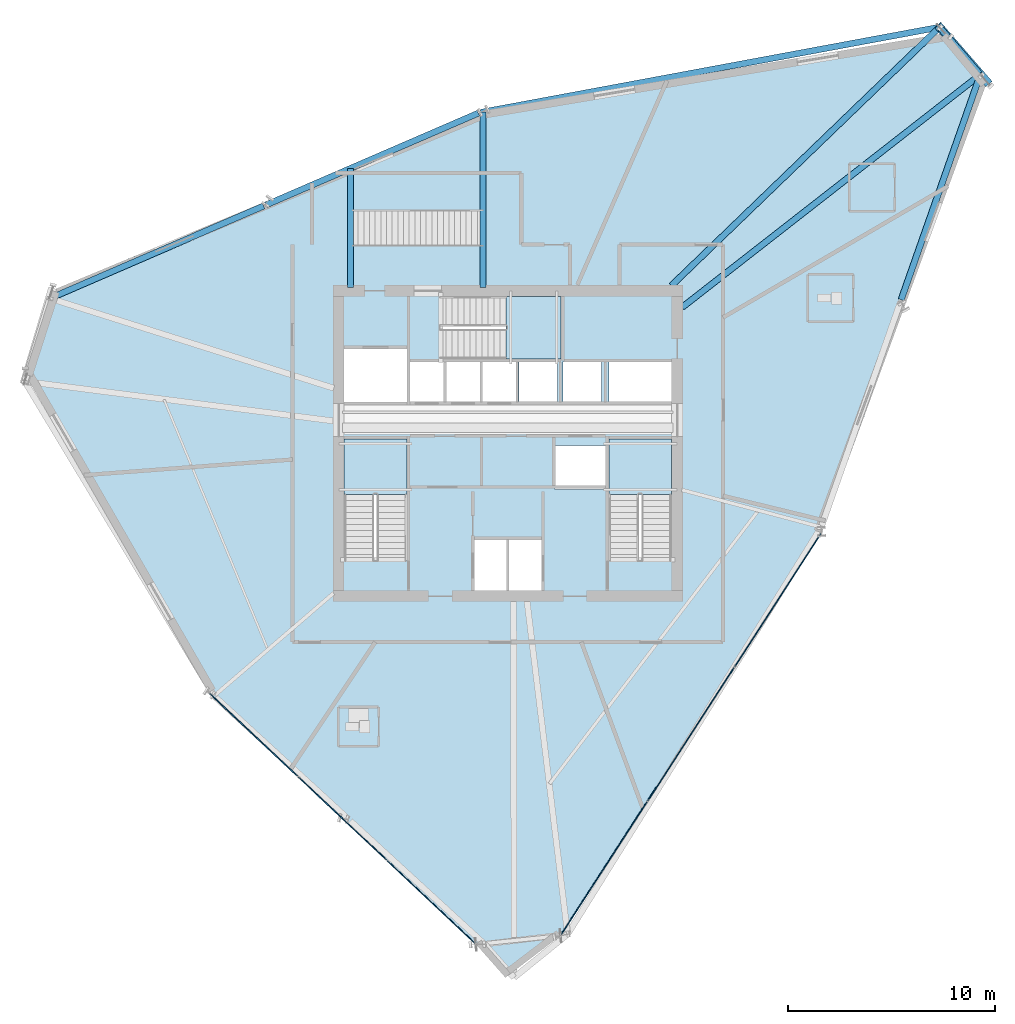
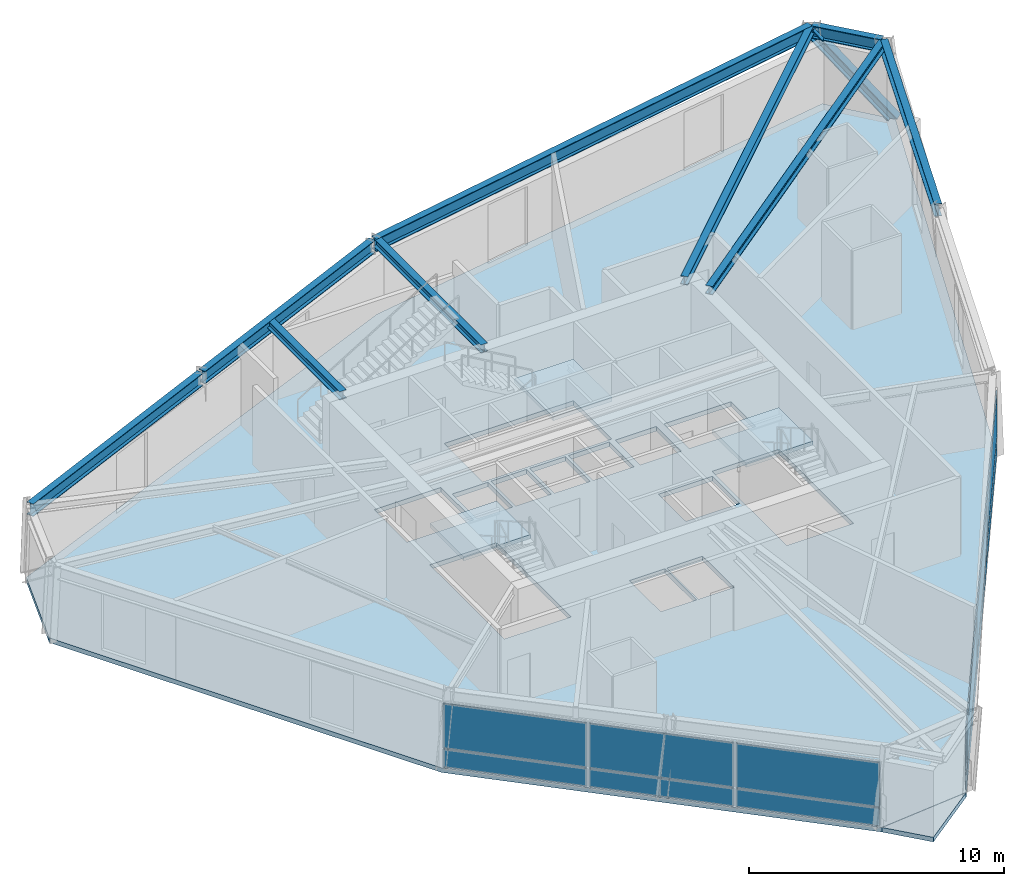
# One storey, part 6 of 14: 12 plates, 9 beams, 5 slabs, 1 member, 5 elements without a shape of their own.
"""IFC4 building model written with IfcOpenShell, lengths in metres."""

from ifc_helpers import new_model, si_unit, direction, frame, origin, origin_2d, place, context, subcontext, project, spatial, polyline, rectangle, i_section, outline, extrude, source, transform, mapped, material, layer, layer_set, material_profile, profile_set, type_object, element, aggregate, save


model = new_model("IFC4")

# Units and contexts
model_context = context("Model", 3, precision=1e-05, world=origin(), true_north=direction((0.0, 1.0)))
body_context = subcontext(model_context, "Body", "Model", "MODEL_VIEW")
ifc_project = project(units=[si_unit("LENGTHUNIT", "METRE"), si_unit("AREAUNIT", "SQUARE_METRE"), si_unit("VOLUMEUNIT", "CUBIC_METRE"), si_unit("PLANEANGLEUNIT", "RADIAN"), si_unit("MASSUNIT", "GRAM", prefix="KILO")], contexts=[model_context])

# Site, building, storey
site_placement = place(None, origin())
site = spatial("IfcSite", under=ifc_project, at=site_placement, CompositionType="ELEMENT")
building_placement = place(site_placement, origin())
building = spatial("IfcBuilding", under=site, at=building_placement, Name="Olszyna Solenne Hotel", CompositionType="ELEMENT")
storey_placement = place(building_placement, frame((0.0, 0.0, 196.300048828125)))
storey = spatial("IfcBuildingStorey", under=building, at=storey_placement, Name="L52", CompositionType="ELEMENT", Elevation=196.300048828125)

# Beams
ifc_material_1 = material(Name="Steel S355J2", Category="steel")
ifc_material_profile_1 = material_profile(ifc_material_1, i_section(OverallWidth=0.300048828125, OverallDepth=0.60009765625, WebThickness=0.015380859375, FlangeThickness=0.030029296875, at=origin_2d()), Name="HEB 600", Category="load-bearing")
ifc_profile_set_1 = profile_set([ifc_material_profile_1], Name="Steel S355J2")
beam_type_1 = type_object("IfcBeamType", Name="BM-S2", PredefinedType="BEAM", material=ifc_profile_set_1)
shared_shape_1 = source(origin(), body_context, "Body", "SweptSolid", [
    extrude(i_section(OverallWidth=0.300048828125, OverallDepth=0.60009765625, WebThickness=0.015380859375, FlangeThickness=0.030029296875, at=origin_2d()), origin(), (0.0, 0.0, 1.0), 2.902587890625),
])
beam_1_placement = place(storey_placement, frame((60.780517578125, 44.44873046875, 3.47998046875), z_axis=(-0.651449183491, 0.758692270508, 0.0), x_axis=(-0.758692270508, -0.651449183491, 0.0)))
element("IfcBeam", 1, at=beam_1_placement, inside=storey, type_object=beam_type_1, Name="Perimeter spandrel beam BM-S2 B-L52-1538", PredefinedType="BEAM", context=body_context, shape_type="MappedRepresentation", body=[
    mapped(shared_shape_1, transform((0.0, 0.0, 0.0), x_axis=(1.0, 0.0, 0.0), y_axis=(0.0, 1.0, 0.0), z_axis=(0.0, 0.0, 1.0), scale=1.0)),
])
shared_shape_2 = source(origin(), body_context, "Body", "SweptSolid", [
    extrude(i_section(OverallWidth=0.300048828125, OverallDepth=0.60009765625, WebThickness=0.015380859375, FlangeThickness=0.030029296875, at=origin_2d()), origin(), (0.0, 0.0, 1.0), 22.477783203125),
])
beam_2_placement = place(storey_placement, frame((58.79150390625, 46.685546875, 3.47998046875), z_axis=(-0.98318065704, -0.182635690987, 0.0), x_axis=(0.182635690987, -0.98318065704, 0.0)))
element("IfcBeam", 2, at=beam_2_placement, inside=storey, type_object=beam_type_1, Name="Perimeter spandrel beam BM-S2 B-L52-1539", PredefinedType="BEAM", context=body_context, shape_type="MappedRepresentation", body=[
    mapped(shared_shape_2, transform((0.0, 0.0, 0.0), x_axis=(1.0, 0.0, 0.0), y_axis=(0.0, 1.0, 0.0), z_axis=(0.0, 0.0, 1.0), scale=1.0)),
])
shared_shape_3 = source(origin(), body_context, "Body", "SweptSolid", [
    extrude(i_section(OverallWidth=0.300048828125, OverallDepth=0.60009765625, WebThickness=0.015380859375, FlangeThickness=0.030029296875, at=origin_2d()), origin(), (0.0, 0.0, 1.0), 11.178955078125),
])
for number, where, z_axis, x_axis, name in (
    (3, (36.57763671875, 42.54541015625, 3.47998046875), (-0.917867142274, -0.396887779018, 0.0), (0.396887779018, -0.917867142274, 0.0), "Perimeter spandrel beam BM-S2 B-L52-1540"),
    (4, (26.206787109375, 38.06103515625, 3.47998046875), (-0.917867142274, -0.396887779018, 0.0), (0.396887779018, -0.917867142274, 0.0), "Perimeter spandrel beam BM-S2 B-L52-1541"),
):
    element("IfcBeam", number, at=place(storey_placement, frame(where, z_axis=z_axis, x_axis=x_axis)), inside=storey, type_object=beam_type_1, Name=name, PredefinedType="BEAM", context=body_context, shape_type="MappedRepresentation", body=[
        mapped(shared_shape_3, transform((0.0, 0.0, 0.0), x_axis=(1.0, 0.0, 0.0), y_axis=(0.0, 1.0, 0.0), z_axis=(0.0, 0.0, 1.0), scale=1.0)),
    ])
shared_shape_4 = source(origin(), body_context, "Body", "SweptSolid", [
    extrude(i_section(OverallWidth=0.300048828125, OverallDepth=0.60009765625, WebThickness=0.015380859375, FlangeThickness=0.030029296875, at=origin_2d()), origin(), (0.0, 0.0, 1.0), 11.461669921875),
])
beam_3_placement = place(storey_placement, frame((56.996826171875, 33.534423828125, 3.47998046875), z_axis=(0.331802663101, 0.943348818179, 0.0), x_axis=(-0.943348818179, 0.331802663101, 0.0)))
element("IfcBeam", 5, at=beam_3_placement, inside=storey, type_object=beam_type_1, Name="Perimeter spandrel beam BM-S2 B-L52-1549", PredefinedType="BEAM", context=body_context, shape_type="MappedRepresentation", body=[
    mapped(shared_shape_4, transform((0.0, 0.0, 0.0), x_axis=(1.0, 0.0, 0.0), y_axis=(0.0, 1.0, 0.0), z_axis=(0.0, 0.0, 1.0), scale=1.0)),
])
ifc_material_profile_2 = material_profile(ifc_material_1, i_section(OverallWidth=0.300048828125, OverallDepth=0.389892578125, WebThickness=0.010986328125, FlangeThickness=0.01904296875, at=origin_2d()), Name="HEA 400", Category="load-bearing")
ifc_profile_set_2 = profile_set([ifc_material_profile_2], Name="Steel S355J2")
beam_type_2 = type_object("IfcBeamType", Name="BM-G2", PredefinedType="BEAM", material=ifc_profile_set_2)
shared_shape_5 = source(origin(), body_context, "Body", "SweptSolid", [
    extrude(i_section(OverallWidth=0.300048828125, OverallDepth=0.389892578125, WebThickness=0.010986328125, FlangeThickness=0.01904296875, at=origin_2d()), origin(), (0.0, 0.0, 1.0), 18.21533203125),
])
beam_4_placement = place(storey_placement, frame((60.772216796875, 44.3662109375, 3.5849609375), z_axis=(-0.788434052637, -0.615119293017, 0.0), x_axis=(0.615119293017, -0.788434052637, 0.0)))
element("IfcBeam", 6, at=beam_4_placement, inside=storey, type_object=beam_type_2, Name="Radial floor girder BM-G2 B-L52-1550", PredefinedType="BEAM", context=body_context, shape_type="MappedRepresentation", body=[
    mapped(shared_shape_5, transform((0.0, 0.0, 0.0), x_axis=(1.0, 0.0, 0.0), y_axis=(0.0, 1.0, 0.0), z_axis=(0.0, 0.0, 1.0), scale=1.0)),
])
shared_shape_6 = source(origin(), body_context, "Body", "SweptSolid", [
    extrude(i_section(OverallWidth=0.300048828125, OverallDepth=0.389892578125, WebThickness=0.010986328125, FlangeThickness=0.01904296875, at=origin_2d()), origin(), (0.0, 0.0, 1.0), 17.92529296875),
])
beam_5_placement = place(storey_placement, frame((58.807373046875, 46.65478515625, 3.5849609375), z_axis=(-0.720014166598, -0.693959364731, 0.0), x_axis=(0.693959364731, -0.720014166598, 0.0)))
element("IfcBeam", 7, at=beam_5_placement, inside=storey, type_object=beam_type_2, Name="Radial floor girder BM-G2 B-L52-1551", PredefinedType="BEAM", context=body_context, shape_type="MappedRepresentation", body=[
    mapped(shared_shape_6, transform((0.0, 0.0, 0.0), x_axis=(1.0, 0.0, 0.0), y_axis=(0.0, 1.0, 0.0), z_axis=(0.0, 0.0, 1.0), scale=1.0)),
])
shared_shape_7 = source(origin(), body_context, "Body", "SweptSolid", [
    extrude(i_section(OverallWidth=0.300048828125, OverallDepth=0.389892578125, WebThickness=0.010986328125, FlangeThickness=0.01904296875, at=origin_2d()), origin(), (0.0, 0.0, 1.0), 5.744384765625),
])
beam_6_placement = place(storey_placement, frame((30.39990234375, 34.1298828125, 3.5849609375), z_axis=(0.0, 1.0, 0.0), x_axis=(-1.0, 0.0, 0.0)))
element("IfcBeam", 8, at=beam_6_placement, inside=storey, type_object=beam_type_2, Name="Feature stair West trimmer girder BM-G2 B-L52-1560", PredefinedType="BEAM", context=body_context, shape_type="MappedRepresentation", body=[
    mapped(shared_shape_7, transform((0.0, 0.0, 0.0), x_axis=(1.0, 0.0, 0.0), y_axis=(0.0, 1.0, 0.0), z_axis=(0.0, 0.0, 1.0), scale=1.0)),
])
shared_shape_8 = source(origin(), body_context, "Body", "SweptSolid", [
    extrude(i_section(OverallWidth=0.300048828125, OverallDepth=0.389892578125, WebThickness=0.010986328125, FlangeThickness=0.01904296875, at=origin_2d()), origin(), (0.0, 0.0, 1.0), 8.470458984375),
])
beam_7_placement = place(storey_placement, frame((36.800048828125, 34.1298828125, 3.5849609375), z_axis=(0.0, 1.0, 0.0), x_axis=(-1.0, 0.0, 0.0)))
element("IfcBeam", 9, at=beam_7_placement, inside=storey, type_object=beam_type_2, Name="Feature stair East arrival girder BM-G2 B-L52-1561", PredefinedType="BEAM", context=body_context, shape_type="MappedRepresentation", body=[
    mapped(shared_shape_8, transform((0.0, 0.0, 0.0), x_axis=(1.0, 0.0, 0.0), y_axis=(0.0, 1.0, 0.0), z_axis=(0.0, 0.0, 1.0), scale=1.0)),
])

# Member
ifc_material_2 = material(Name="Steel S460M", Category="steel")
ifc_material_profile_3 = material_profile(ifc_material_2, i_section(OverallWidth=0.406005859375, OverallDepth=0.416015625, WebThickness=0.026611328125, FlangeThickness=0.04150390625, at=origin_2d()), Name="HD 400x382", Category="load-bearing")
ifc_profile_set_3 = profile_set([ifc_material_profile_3], Name="Steel S460M")
member_type = type_object("IfcMemberType", Name="BR-T2", PredefinedType="BRACE", material=ifc_profile_set_3)
shared_shape_9 = source(origin(), body_context, "Body", "SweptSolid", [
    extrude(i_section(OverallWidth=0.406005859375, OverallDepth=0.416015625, WebThickness=0.026611328125, FlangeThickness=0.04150390625, at=origin_2d()), origin(), (0.0, 0.0, 1.0), 4.904541015625),
])
member_placement = place(storey_placement, frame((61.142333984375, 44.056396484375, 0.010009765625), z_axis=(-0.467259910423, 0.538292177619, 0.701362750384), x_axis=(-0.755175027568, -0.655523209153, 0.0)))
element("IfcMember", 10, at=member_placement, inside=storey, type_object=member_type, Name="Perimeter braced-tube diagonal BR-T2 BR-L52-1", PredefinedType="BRACE", context=body_context, shape_type="MappedRepresentation", body=[
    mapped(shared_shape_9, transform((0.0, 0.0, 0.0), x_axis=(1.0, 0.0, 0.0), y_axis=(0.0, 1.0, 0.0), z_axis=(0.0, 0.0, 1.0), scale=1.0)),
])

# Stair, slab
ifc_material_3 = material(Name="Concrete C40/50", Category="concrete")
stair_type = type_object("IfcStairType", Name="STR-C1", PredefinedType="TWO_QUARTER_WINDING_STAIR", material=ifc_material_3)
stair_1_placement = place(storey_placement, origin())
stair_1 = element("IfcStair", 11, at=stair_1_placement, inside=storey, type_object=stair_type, Name="L52 ST1", PredefinedType="TWO_QUARTER_WINDING_STAIR")
ifc_layer_1 = layer(ifc_material_3, 0.18994140625, Name="Concrete C40/50")
ifc_layer_set_1 = layer_set([ifc_layer_1], Name="Concrete C40/50")
slab_type_1 = type_object("IfcSlabType", Name="SL-LN190", PredefinedType="LANDING", material=ifc_layer_set_1)
slab_1_placement = place(storey_placement, frame((0.0, 0.0, 1.800048828125)))
slab_1 = element("IfcSlab", 12, at=slab_1_placement, type_object=slab_type_1, Name="ST1 landing 1", PredefinedType="LANDING", context=body_context, shape_type="SweptSolid", body=[
    extrude(outline(polyline([(33.1201171875, 24.139892578125), (33.1201171875, 26.800048828125), (30.10009765625, 26.800048828125), (30.10009765625, 24.139892578125), (33.1201171875, 24.139892578125)])), origin(), (0.0, 0.0, 1.0), 0.199951171875),
])
aggregate(stair_1, [slab_1])

stair_2_placement = place(storey_placement, origin())
stair_2 = element("IfcStair", 13, at=stair_2_placement, inside=storey, type_object=stair_type, Name="L52 ST2", PredefinedType="TWO_QUARTER_WINDING_STAIR")
slab_2_placement = place(storey_placement, frame((0.0, 0.0, 1.800048828125)))
slab_2 = element("IfcSlab", 14, at=slab_2_placement, type_object=slab_type_1, Name="ST2 landing 1", PredefinedType="LANDING", context=body_context, shape_type="SweptSolid", body=[
    extrude(outline(polyline([(45.89990234375, 24.139892578125), (45.89990234375, 26.800048828125), (42.8798828125, 26.800048828125), (42.8798828125, 24.139892578125), (45.89990234375, 24.139892578125)])), origin(), (0.0, 0.0, 1.0), 0.199951171875),
])
aggregate(stair_2, [slab_2])

stair_3_placement = place(storey_placement, origin())
stair_3 = element("IfcStair", 15, at=stair_3_placement, inside=storey, type_object=stair_type, Name="L52 ST3", PredefinedType="TWO_QUARTER_WINDING_STAIR")
slab_3_placement = place(storey_placement, frame((0.0, 0.0, 1.800048828125)))
slab_3 = element("IfcSlab", 16, at=slab_3_placement, type_object=slab_type_1, Name="ST3 landing 1", PredefinedType="LANDING", context=body_context, shape_type="SweptSolid", body=[
    extrude(outline(polyline([(37.919921875, 30.679931640625), (40.580078125, 30.679931640625), (40.580078125, 33.699951171875), (37.919921875, 33.699951171875), (37.919921875, 30.679931640625)])), origin(), (0.0, 0.0, 1.0), 0.199951171875),
])
aggregate(stair_3, [slab_3])

# Slabs
ifc_material_4 = material(Name="Concrete C50/60", Category="concrete")
ifc_layer_2 = layer(ifc_material_4, 0.219970703125, Name="Concrete C50/60")
ifc_layer_set_2 = layer_set([ifc_layer_2], Name="Concrete C50/60")
slab_type_2 = type_object("IfcSlabType", Name="SL-TW225", PredefinedType="FLOOR", material=ifc_layer_set_2)
slab_4_placement = place(storey_placement, frame((0.0, 0.0, -0.219970703125)))
element("IfcSlab", 17, at=slab_4_placement, inside=storey, type_object=slab_type_2, Name="Floor slab SL-TW225 SL-L52-01", PredefinedType="FLOOR", context=body_context, shape_type="SweptSolid", body=[
    extrude(outline(polyline([(61.142333984375, 44.056396484375), (59.18505859375, 46.409912109375), (36.86865234375, 42.674072265625), (15.97998046875, 33.977294921875), (14.683349609375, 29.93798828125), (23.553466796875, 14.56689453125), (36.47216796875, 2.3994140625), (40.537109375, 2.8193359375), (53.148681640625, 22.2841796875), (61.142333984375, 44.056396484375)]), holes=[polyline([(30.10009765625, 20.949951171875), (33.1201171875, 20.949951171875), (33.1201171875, 26.800048828125), (30.10009765625, 26.800048828125), (30.10009765625, 20.949951171875)]), polyline([(42.8798828125, 20.949951171875), (45.89990234375, 20.949951171875), (45.89990234375, 26.800048828125), (42.8798828125, 26.800048828125), (42.8798828125, 20.949951171875)]), polyline([(34.72998046875, 30.679931640625), (40.580078125, 30.679931640625), (40.580078125, 33.699951171875), (34.72998046875, 33.699951171875), (34.72998046875, 30.679931640625)]), polyline([(36.340087890625, 19.5), (37.9599609375, 19.5), (37.9599609375, 21.9599609375), (36.340087890625, 21.9599609375), (36.340087890625, 19.5)]), polyline([(38.0400390625, 19.5), (39.659912109375, 19.5), (39.659912109375, 21.9599609375), (38.0400390625, 21.9599609375), (38.0400390625, 19.5)]), polyline([(30.10009765625, 28.60009765625), (33.1201171875, 28.60009765625), (33.1201171875, 31.159912109375), (30.10009765625, 31.159912109375), (30.10009765625, 28.60009765625)]), polyline([(40.280029296875, 24.360107421875), (42.719970703125, 24.360107421875), (42.719970703125, 26.5), (40.280029296875, 26.5), (40.280029296875, 24.360107421875)]), polyline([(33.280029296875, 28.60009765625), (34.89990234375, 28.60009765625), (34.89990234375, 30.550048828125), (33.280029296875, 30.550048828125), (33.280029296875, 28.60009765625)]), polyline([(35.030029296875, 28.60009765625), (36.64990234375, 28.60009765625), (36.64990234375, 30.550048828125), (35.030029296875, 30.550048828125), (35.030029296875, 28.60009765625)]), polyline([(36.780029296875, 28.60009765625), (38.39990234375, 28.60009765625), (38.39990234375, 30.550048828125), (36.780029296875, 30.550048828125), (36.780029296875, 28.60009765625)]), polyline([(38.530029296875, 28.60009765625), (40.389892578125, 28.60009765625), (40.389892578125, 30.550048828125), (38.530029296875, 30.550048828125), (38.530029296875, 28.60009765625)]), polyline([(40.659912109375, 28.60009765625), (42.52001953125, 28.60009765625), (42.52001953125, 30.550048828125), (40.659912109375, 30.550048828125), (40.659912109375, 28.60009765625)]), polyline([(42.8798828125, 28.60009765625), (45.89990234375, 28.60009765625), (45.89990234375, 30.550048828125), (42.8798828125, 30.550048828125), (42.8798828125, 28.60009765625)])]), origin(), (0.0, 0.0, 1.0), 0.219970703125),
])
slab_5_placement = place(storey_placement, frame((0.0, 0.0, -0.219970703125)))
element("IfcSlab", 18, at=slab_5_placement, inside=storey, type_object=slab_type_2, Name="Faceted glass-prism floor slab SL-L52-PR", PredefinedType="FLOOR", context=body_context, shape_type="SweptSolid", body=[
    extrude(outline(polyline([(40.521728515625, 2.807861328125), (36.480224609375, 2.39013671875), (37.884765625, 0.800048828125), (40.521728515625, 2.807861328125)])), origin(), (0.0, 0.0, 1.0), 0.219970703125),
])

# Curtain wall, plates
ifc_material_5 = material(Name="Anodised bronze aluminium", Category="aluminium")
curtain_wall_type = type_object("IfcCurtainWallType", Name="CW-SYS-6", PredefinedType="NOTDEFINED", material=ifc_material_5)
curtain_wall_1_placement = place(storey_placement, origin())
curtain_wall_1 = element("IfcCurtainWall", 19, at=curtain_wall_1_placement, inside=storey, type_object=curtain_wall_type, Name="Unitised curtain wall CW-SYS-6 CW-L52-01", PredefinedType="NOTDEFINED")
ifc_material_6 = material(Name="Terracotta cladding", Category="masonry")
plate_type_1 = type_object("IfcPlateType", Name="PN-SP1", PredefinedType="CURTAIN_PANEL", material=ifc_material_6)
shared_shape_10 = source(origin(), body_context, "Body", "SweptSolid", [
    extrude(rectangle(XDim=7.611083984375, YDim=0.048095703125, at=origin_2d()), origin(), (0.0, 0.0, 1.0), 0.83740234375),
])
plate_1_placement = place(storey_placement, frame((42.64990234375, 6.080322265625, 0.074951171875), z_axis=(0.0, 0.0, 1.0), x_axis=(0.543761576405, 0.839239744069, 0.0)))
plate_1 = element("IfcPlate", 20, at=plate_1_placement, type_object=plate_type_1, Name="Curtain-wall panel PN-SP1 CP-L52-01-01", PredefinedType="CURTAIN_PANEL", context=body_context, shape_type="MappedRepresentation", body=[
    mapped(shared_shape_10, transform((0.0, 0.0, 0.0), x_axis=(1.0, 0.0, 0.0), y_axis=(0.0, 1.0, 0.0), z_axis=(0.0, 0.0, 1.0), scale=1.0)),
])
plate_2_placement = place(storey_placement, frame((51.035888671875, 19.023193359375, 0.074951171875), z_axis=(0.0, 0.0, 1.0), x_axis=(0.543761576405, 0.839239744069, 0.0)))
plate_2 = element("IfcPlate", 21, at=plate_2_placement, type_object=plate_type_1, Name="Curtain-wall panel PN-SP1 CP-L52-01-05", PredefinedType="CURTAIN_PANEL", context=body_context, shape_type="MappedRepresentation", body=[
    mapped(shared_shape_10, transform((0.0, 0.0, 0.0), x_axis=(1.0, 0.0, 0.0), y_axis=(0.0, 1.0, 0.0), z_axis=(0.0, 0.0, 1.0), scale=1.0)),
])
ifc_material_7 = material(Name="Low-E triple glazing", Category="glass")
plate_type_2 = type_object("IfcPlateType", Name="PN-GL2", PredefinedType="CURTAIN_PANEL", material=ifc_material_7)
shared_shape_11 = source(origin(), body_context, "Body", "SweptSolid", [
    extrude(rectangle(XDim=7.611083984375, YDim=0.048095703125, at=origin_2d()), origin(), (0.0, 0.0, 1.0), 2.109619140625),
])
plate_3_placement = place(storey_placement, frame((42.64990234375, 6.080322265625, 0.9873046875), z_axis=(0.0, 0.0, 1.0), x_axis=(0.543761576405, 0.839239744069, 0.0)))
plate_3 = element("IfcPlate", 22, at=plate_3_placement, type_object=plate_type_2, Name="Curtain-wall panel PN-GL2 CP-L52-01-02", PredefinedType="CURTAIN_PANEL", context=body_context, shape_type="MappedRepresentation", body=[
    mapped(shared_shape_11, transform((0.0, 0.0, 0.0), x_axis=(1.0, 0.0, 0.0), y_axis=(0.0, 1.0, 0.0), z_axis=(0.0, 0.0, 1.0), scale=1.0)),
])
plate_4_placement = place(storey_placement, frame((51.035888671875, 19.023193359375, 0.9873046875), z_axis=(0.0, 0.0, 1.0), x_axis=(0.543761576405, 0.839239744069, 0.0)))
plate_4 = element("IfcPlate", 23, at=plate_4_placement, type_object=plate_type_2, Name="Curtain-wall panel PN-GL2 CP-L52-01-06", PredefinedType="CURTAIN_PANEL", context=body_context, shape_type="MappedRepresentation", body=[
    mapped(shared_shape_11, transform((0.0, 0.0, 0.0), x_axis=(1.0, 0.0, 0.0), y_axis=(0.0, 1.0, 0.0), z_axis=(0.0, 0.0, 1.0), scale=1.0)),
])
shared_shape_12 = source(origin(), body_context, "Body", "SweptSolid", [
    extrude(rectangle(XDim=7.651123046875, YDim=0.048095703125, at=origin_2d()), origin(), (0.0, 0.0, 1.0), 0.83740234375),
])
plate_5_placement = place(storey_placement, frame((46.843017578125, 12.5517578125, 0.074951171875), z_axis=(0.0, 0.0, 1.0), x_axis=(0.543761576405, 0.839239744069, 0.0)))
plate_5 = element("IfcPlate", 24, at=plate_5_placement, type_object=plate_type_1, Name="Curtain-wall panel PN-SP1 CP-L52-01-03", PredefinedType="CURTAIN_PANEL", context=body_context, shape_type="MappedRepresentation", body=[
    mapped(shared_shape_12, transform((0.0, 0.0, 0.0), x_axis=(1.0, 0.0, 0.0), y_axis=(0.0, 1.0, 0.0), z_axis=(0.0, 0.0, 1.0), scale=1.0)),
])
shared_shape_13 = source(origin(), body_context, "Body", "SweptSolid", [
    extrude(rectangle(XDim=7.651123046875, YDim=0.048095703125, at=origin_2d()), origin(), (0.0, 0.0, 1.0), 2.109619140625),
])
plate_6_placement = place(storey_placement, frame((46.843017578125, 12.5517578125, 0.9873046875), z_axis=(0.0, 0.0, 1.0), x_axis=(0.543761576405, 0.839239744069, 0.0)))
plate_6 = element("IfcPlate", 25, at=plate_6_placement, type_object=plate_type_2, Name="Curtain-wall panel PN-GL2 CP-L52-01-04", PredefinedType="CURTAIN_PANEL", context=body_context, shape_type="MappedRepresentation", body=[
    mapped(shared_shape_13, transform((0.0, 0.0, 0.0), x_axis=(1.0, 0.0, 0.0), y_axis=(0.0, 1.0, 0.0), z_axis=(0.0, 0.0, 1.0), scale=1.0)),
])
aggregate(curtain_wall_1, [plate_1, plate_3, plate_5, plate_6, plate_2, plate_4])

curtain_wall_2_placement = place(storey_placement, origin())
curtain_wall_2 = element("IfcCurtainWall", 26, at=curtain_wall_2_placement, inside=storey, type_object=curtain_wall_type, Name="Unitised curtain wall CW-SYS-6 CW-L52-02", PredefinedType="NOTDEFINED")
shared_shape_14 = source(origin(), body_context, "Body", "SweptSolid", [
    extrude(rectangle(XDim=5.795654296875, YDim=0.048095703125, at=origin_2d()), origin(), (0.0, 0.0, 1.0), 0.83740234375),
])
plate_7_placement = place(storey_placement, frame((25.72119140625, 12.525390625, 0.074951171875), z_axis=(0.0, 0.0, 1.0), x_axis=(0.727946342663, -0.685634102276, 0.0)))
plate_7 = element("IfcPlate", 27, at=plate_7_placement, type_object=plate_type_1, Name="Curtain-wall panel PN-SP1 CP-L52-02-01", PredefinedType="CURTAIN_PANEL", context=body_context, shape_type="MappedRepresentation", body=[
    mapped(shared_shape_14, transform((0.0, 0.0, 0.0), x_axis=(1.0, 0.0, 0.0), y_axis=(0.0, 1.0, 0.0), z_axis=(0.0, 0.0, 1.0), scale=1.0)),
])
plate_8_placement = place(storey_placement, frame((34.304443359375, 4.44091796875, 0.074951171875), z_axis=(0.0, 0.0, 1.0), x_axis=(0.727946342663, -0.685634102276, 0.0)))
plate_8 = element("IfcPlate", 28, at=plate_8_placement, type_object=plate_type_1, Name="Curtain-wall panel PN-SP1 CP-L52-02-05", PredefinedType="CURTAIN_PANEL", context=body_context, shape_type="MappedRepresentation", body=[
    mapped(shared_shape_14, transform((0.0, 0.0, 0.0), x_axis=(1.0, 0.0, 0.0), y_axis=(0.0, 1.0, 0.0), z_axis=(0.0, 0.0, 1.0), scale=1.0)),
])
shared_shape_15 = source(origin(), body_context, "Body", "SweptSolid", [
    extrude(rectangle(XDim=5.795654296875, YDim=0.048095703125, at=origin_2d()), origin(), (0.0, 0.0, 1.0), 2.109619140625),
])
plate_9_placement = place(storey_placement, frame((25.72119140625, 12.525390625, 0.9873046875), z_axis=(0.0, 0.0, 1.0), x_axis=(0.727946342663, -0.685634102276, 0.0)))
plate_9 = element("IfcPlate", 29, at=plate_9_placement, type_object=plate_type_2, Name="Curtain-wall panel PN-GL2 CP-L52-02-02", PredefinedType="CURTAIN_PANEL", context=body_context, shape_type="MappedRepresentation", body=[
    mapped(shared_shape_15, transform((0.0, 0.0, 0.0), x_axis=(1.0, 0.0, 0.0), y_axis=(0.0, 1.0, 0.0), z_axis=(0.0, 0.0, 1.0), scale=1.0)),
])
plate_10_placement = place(storey_placement, frame((34.304443359375, 4.44091796875, 0.9873046875), z_axis=(0.0, 0.0, 1.0), x_axis=(0.727946342663, -0.685634102276, 0.0)))
plate_10 = element("IfcPlate", 30, at=plate_10_placement, type_object=plate_type_2, Name="Curtain-wall panel PN-GL2 CP-L52-02-06", PredefinedType="CURTAIN_PANEL", context=body_context, shape_type="MappedRepresentation", body=[
    mapped(shared_shape_15, transform((0.0, 0.0, 0.0), x_axis=(1.0, 0.0, 0.0), y_axis=(0.0, 1.0, 0.0), z_axis=(0.0, 0.0, 1.0), scale=1.0)),
])
shared_shape_16 = source(origin(), body_context, "Body", "SweptSolid", [
    extrude(rectangle(XDim=5.83544921875, YDim=0.048095703125, at=origin_2d()), origin(), (0.0, 0.0, 1.0), 0.83740234375),
])
plate_11_placement = place(storey_placement, frame((30.0126953125, 8.483154296875, 0.074951171875), z_axis=(0.0, 0.0, 1.0), x_axis=(0.727946342663, -0.685634102276, 0.0)))
plate_11 = element("IfcPlate", 31, at=plate_11_placement, type_object=plate_type_1, Name="Curtain-wall panel PN-SP1 CP-L52-02-03", PredefinedType="CURTAIN_PANEL", context=body_context, shape_type="MappedRepresentation", body=[
    mapped(shared_shape_16, transform((0.0, 0.0, 0.0), x_axis=(1.0, 0.0, 0.0), y_axis=(0.0, 1.0, 0.0), z_axis=(0.0, 0.0, 1.0), scale=1.0)),
])
shared_shape_17 = source(origin(), body_context, "Body", "SweptSolid", [
    extrude(rectangle(XDim=5.83544921875, YDim=0.048095703125, at=origin_2d()), origin(), (0.0, 0.0, 1.0), 2.109619140625),
])
plate_12_placement = place(storey_placement, frame((30.0126953125, 8.483154296875, 0.9873046875), z_axis=(0.0, 0.0, 1.0), x_axis=(0.727946342663, -0.685634102276, 0.0)))
plate_12 = element("IfcPlate", 32, at=plate_12_placement, type_object=plate_type_2, Name="Curtain-wall panel PN-GL2 CP-L52-02-04", PredefinedType="CURTAIN_PANEL", context=body_context, shape_type="MappedRepresentation", body=[
    mapped(shared_shape_17, transform((0.0, 0.0, 0.0), x_axis=(1.0, 0.0, 0.0), y_axis=(0.0, 1.0, 0.0), z_axis=(0.0, 0.0, 1.0), scale=1.0)),
])
aggregate(curtain_wall_2, [plate_7, plate_9, plate_11, plate_12, plate_8, plate_10])

save(model, "model.ifc")
